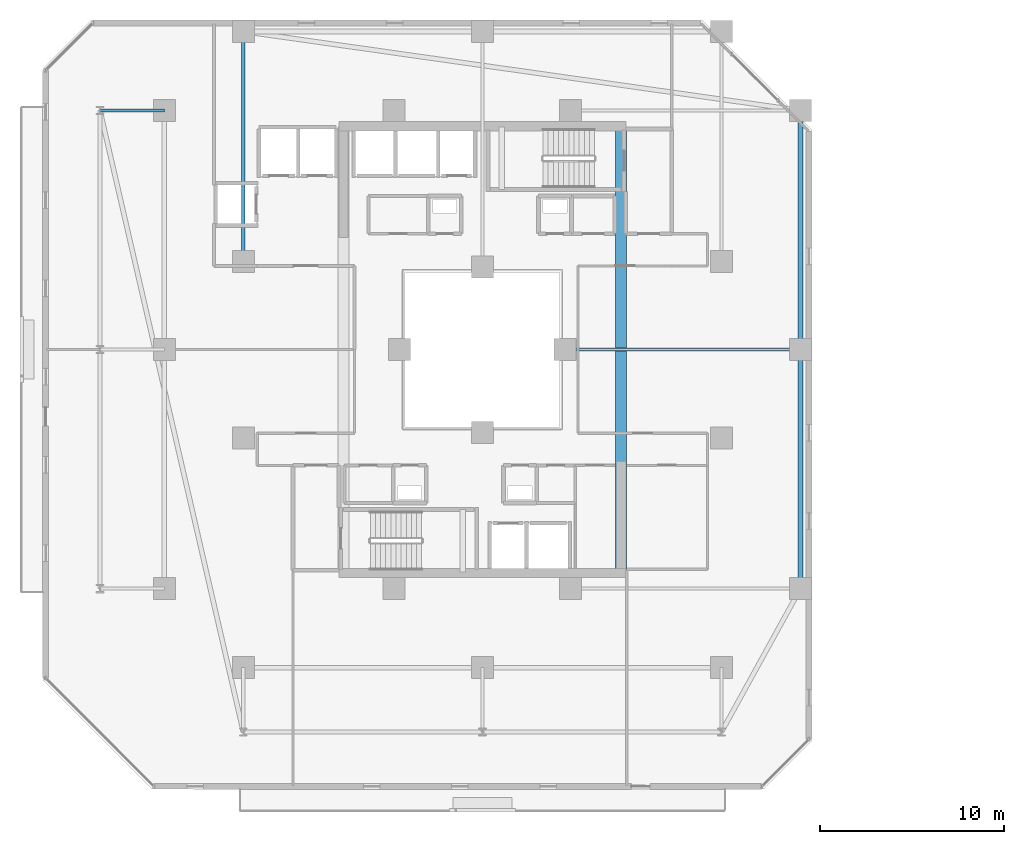
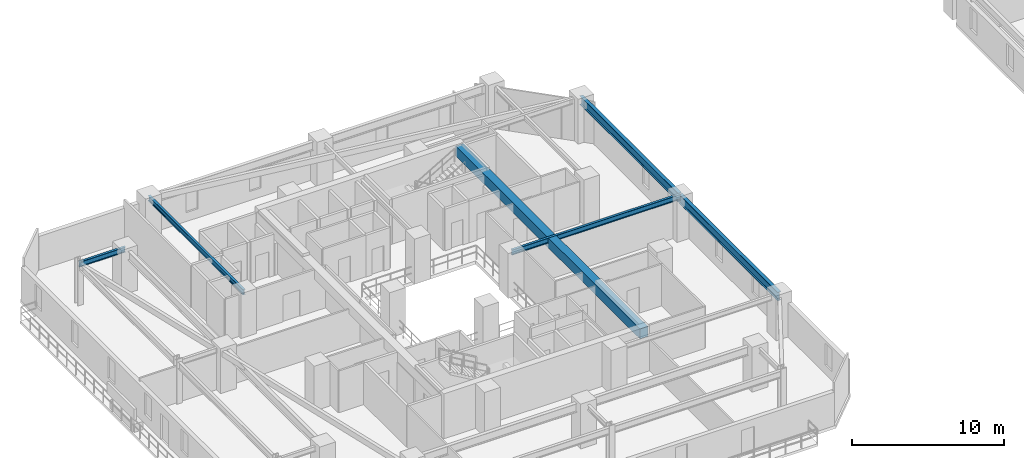
# One storey, part 6 of 32: 6 beams.
"""IFC4 building model written with IfcOpenShell, lengths in metres."""

import ifcopenshell
import ifcopenshell.guid

model = None  # the IFC model being written
_history = None  # IfcOwnerHistory: only IFC2X3 demands one
_inside = {}  # id of a spatial element -> (the spatial element, [elements in it])
_under = {}  # id of a project, library or spatial element -> (it, [spatial elements below it])
_declared = {}  # id of a project -> (the project, [libraries it declares])
_typed = {}  # id of a type object -> (the type object, [elements of that type])
_made_of = {}  # id of a material, layer set ... -> (it, [elements and type objects made of it])


def new_model(schema):
    """Start an empty IFC model of exactly this schema.

    Asked for "IFC4X3", IfcOpenShell would pick the latest addendum, in which some entities
    have other attributes; the version numbers below select the first issue.
    IFC2X3 requires an IfcOwnerHistory on every rooted entity: one is made here for all.
    """
    global model, _history
    if schema == "IFC4X3":
        model = ifcopenshell.file(schema_version=(4, 3, 0, 0))
    else:
        model = ifcopenshell.file(schema=schema)
    _inside.clear()
    _under.clear()
    _declared.clear()
    _typed.clear()
    _made_of.clear()
    _history = None
    if model.schema == "IFC2X3":
        org = make("IfcOrganization", Name="unknown")
        user = make(
            "IfcPersonAndOrganization",
            ThePerson=make("IfcPerson", FamilyName="unknown"),
            TheOrganization=org,
        )
        app = make(
            "IfcApplication",
            ApplicationDeveloper=org,
            Version="unknown",
            ApplicationFullName="unknown",
            ApplicationIdentifier="unknown",
        )
        _history = make(
            "IfcOwnerHistory",
            OwningUser=user,
            OwningApplication=app,
            ChangeAction="ADDED",
            CreationDate=0,
        )
    return model


def make(cls, **values):
    """One entity of the class cls with the attributes given. An attribute that is None is left unset."""
    return model.create_entity(
        cls, **{name: value for name, value in values.items() if value is not None}
    )


def rooted(cls, **values):
    """An entity with a GlobalId (a new one), such as an element, a storey or a relation."""
    return make(cls, GlobalId=ifcopenshell.guid.new(), OwnerHistory=_history, **values)


def si_unit(unit_type, name, prefix=None):
    """IfcSIUnit, for example si_unit("LENGTHUNIT", "METRE", prefix="MILLI")."""
    return make("IfcSIUnit", UnitType=unit_type, Prefix=prefix, Name=name)


def assignment(units):
    """IfcUnitAssignment: the units of a project."""
    return None if units is None else make("IfcUnitAssignment", Units=units)


def point(xyz):
    """IfcCartesianPoint."""
    return None if xyz is None else make("IfcCartesianPoint", Coordinates=xyz)


def direction(xyz):
    """IfcDirection."""
    return None if xyz is None else make("IfcDirection", DirectionRatios=xyz)


def frame(location, z_axis=None, x_axis=None):
    """IfcAxis2Placement3D, a coordinate frame: its origin and axes. An axis left out is left unset."""
    return make(
        "IfcAxis2Placement3D",
        Location=point(location),
        Axis=direction(z_axis),
        RefDirection=direction(x_axis),
    )


def frame_2d(location, x_axis=None):
    """IfcAxis2Placement2D, a coordinate frame in the plane: its origin and x axis."""
    return make(
        "IfcAxis2Placement2D", Location=point(location), RefDirection=direction(x_axis)
    )


def origin():
    """The frame at (0, 0, 0) with its axes left unset."""
    return frame((0.0, 0.0, 0.0))


def origin_2d():
    """The frame at (0, 0) in the plane with its x axis left unset."""
    return frame_2d((0.0, 0.0))


def place(relative_to, where):
    """IfcLocalPlacement: puts the frame where relative to a parent placement (None: the world)."""
    return make(
        "IfcLocalPlacement", PlacementRelTo=relative_to, RelativePlacement=where
    )


def context(
    kind, dimensions, precision=None, world=None, true_north=None, identifier=None
):
    """IfcGeometricRepresentationContext, for example the 3D "Model" context."""
    return make(
        "IfcGeometricRepresentationContext",
        ContextIdentifier=identifier,
        ContextType=kind,
        CoordinateSpaceDimension=dimensions,
        Precision=precision,
        WorldCoordinateSystem=world,
        TrueNorth=true_north,
    )


def subcontext(parent, identifier, kind, view, scale=None):
    """IfcGeometricRepresentationSubContext, for example "Body" below "Model"."""
    return make(
        "IfcGeometricRepresentationSubContext",
        ContextIdentifier=identifier,
        ContextType=kind,
        ParentContext=parent,
        TargetScale=scale,
        TargetView=view,
    )


def project(units=None, contexts=None):
    """IfcProject with its units and contexts."""
    return rooted(
        "IfcProject",
        Name="project",
        RepresentationContexts=contexts,
        UnitsInContext=assignment(units),
    )


def spatial(cls, under=None, at=None, **own):
    """A site, building, storey or space (cls), placed at a placement, below another one or the project."""
    s = rooted(cls, ObjectPlacement=at, **own)
    if under is not None:
        _under.setdefault(under.id(), (under, []))[1].append(s)
    return s


def profile(cls, at=None, kind="AREA", **sizes):
    """A parametric profile (cls). Its sizes go by their IFC names, for example OverallWidth=200.0."""
    return make(cls, ProfileType=kind, Position=at, **sizes)


def rectangle(**sizes):
    """IfcRectangleProfileDef."""
    return profile("IfcRectangleProfileDef", **sizes)


def i_section(**sizes):
    """IfcIShapeProfileDef."""
    return profile("IfcIShapeProfileDef", **sizes)


def extrude(swept, where, along, depth):
    """IfcExtrudedAreaSolid: the profile swept, set in the frame where, extruded along a direction by depth."""
    return make(
        "IfcExtrudedAreaSolid",
        SweptArea=swept,
        Position=where,
        ExtrudedDirection=direction(along),
        Depth=depth,
    )


def shape(context_of_items, identifier, shape_type, items):
    """IfcShapeRepresentation: the items that make up one representation, for example the "Body"."""
    return make(
        "IfcShapeRepresentation",
        ContextOfItems=context_of_items,
        RepresentationIdentifier=identifier,
        RepresentationType=shape_type,
        Items=items,
    )


def material(Name=None, Category=None):
    """IfcMaterial."""
    return make("IfcMaterial", Name=Name, Category=Category)


def material_profile(
    of_material, cross_section, Name=None, Category=None, Priority=None
):
    """IfcMaterialProfile: a cross section and its material."""
    return make(
        "IfcMaterialProfile",
        Name=Name,
        Material=of_material,
        Profile=cross_section,
        Priority=Priority,
        Category=Category,
    )


def profile_set(profiles, Name=None, composite=None):
    """IfcMaterialProfileSet."""
    return make(
        "IfcMaterialProfileSet",
        Name=Name,
        MaterialProfiles=profiles,
        CompositeProfile=composite,
    )


def made_of(thing, what):
    """Note that an element or type object is made of a material, layer set ...; save() writes the relation."""
    if what is not None:
        _made_of.setdefault(what.id(), (what, []))[1].append(thing)
    return thing


def type_object(cls, material=None, **own):
    """A type object (cls), such as IfcWallType, which elements share."""
    return made_of(rooted(cls, **own), material)


def element(
    cls,
    number,
    at=None,
    inside=None,
    cuts=None,
    type_object=None,
    material=None,
    context=None,
    identifier="Body",
    shape_type=None,
    held_by="IfcProductDefinitionShape",
    body=None,
    shapes=None,
    **own,
):
    """One element of the class cls, such as IfcWall. Its Tag is "e" and its number.

    at: its placement. inside: the storey or other place that contains it. cuts: it is an
    opening in that element (IfcRelVoidsElement). A single representation is given by context,
    identifier, shape_type and body (its items); several are given by shapes. held_by: the class
    of the entity that holds the representations. save() writes the other relations.
    """
    e = rooted(cls, Tag="e%d" % number, ObjectPlacement=at, **own)
    if body is not None:
        shapes = [shape(context, identifier, shape_type, body)]
    if shapes is not None:
        e.Representation = make(held_by, Representations=shapes)
    if inside is not None:
        _inside.setdefault(inside.id(), (inside, []))[1].append(e)
    if cuts is not None:
        rooted(
            "IfcRelVoidsElement", RelatingBuildingElement=cuts, RelatedOpeningElement=e
        )
    if type_object is not None:
        _typed.setdefault(type_object.id(), (type_object, []))[1].append(e)
    return made_of(e, material)


def aggregate(whole, parts):
    """IfcRelAggregates: a whole, such as a stair, and the parts it consists of."""
    return rooted("IfcRelAggregates", RelatingObject=whole, RelatedObjects=parts)


def save(model, path):
    """Write the relations noted so far, then the file.

    IfcRelAggregates (storeys below a building ...), IfcRelContainedInSpatialStructure (elements
    in a storey), IfcRelDefinesByType, IfcRelAssociatesMaterial and IfcRelDeclares: one each for
    every whole, place, type object, material and project.
    """
    for whole, parts in _under.values():
        aggregate(whole, parts)
    for where, things in _inside.values():
        rooted(
            "IfcRelContainedInSpatialStructure",
            RelatedElements=things,
            RelatingStructure=where,
        )
    for kind, things in _typed.values():
        rooted("IfcRelDefinesByType", RelatedObjects=things, RelatingType=kind)
    for what, things in _made_of.values():
        rooted("IfcRelAssociatesMaterial", RelatedObjects=things, RelatingMaterial=what)
    for by, libraries in _declared.values():
        rooted("IfcRelDeclares", RelatingContext=by, RelatedDefinitions=libraries)
    model.write(path)


model = new_model("IFC4")

# Units and contexts
model_context = context("Model", 3, precision=1e-05, world=origin(), true_north=direction((0.0, 1.0)))
body_context = subcontext(model_context, "Body", "Model", "MODEL_VIEW")
ifc_project = project(units=[si_unit("LENGTHUNIT", "METRE"), si_unit("AREAUNIT", "SQUARE_METRE"), si_unit("VOLUMEUNIT", "CUBIC_METRE"), si_unit("PLANEANGLEUNIT", "RADIAN"), si_unit("MASSUNIT", "GRAM", prefix="KILO")], contexts=[model_context])

# Site, building, storey
site_placement = place(None, origin())
site = spatial("IfcSite", under=ifc_project, at=site_placement, CompositionType="ELEMENT")
building_placement = place(site_placement, origin())
building = spatial("IfcBuilding", under=site, at=building_placement, Name="Thornwick Lancets Civic Towers", CompositionType="ELEMENT")
storey_placement = place(building_placement, frame((0.0, 0.0, 123.300048828125)))
storey = spatial("IfcBuildingStorey", under=building, at=storey_placement, Name="L32", CompositionType="ELEMENT", Elevation=123.300048828125)

# Beams
ifc_material_1 = material(Name="Concrete C60/75", Category="concrete")
ifc_material_profile_1 = material_profile(ifc_material_1, rectangle(XDim=0.60009765625, YDim=0.800048828125, at=origin_2d()), Name="RC 600x800")
ifc_profile_set_1 = profile_set([ifc_material_profile_1], Name="Concrete C60/75")
beam_type_1 = type_object("IfcBeamType", Name="BM_COUP_RC800", PredefinedType="BEAM", material=ifc_profile_set_1)
beam_1_placement = place(storey_placement, frame((33.050048828125, 14.89990234375, 2.9599609375), z_axis=(0.0, 1.0, 0.0), x_axis=(-1.0, 0.0, 0.0)))
element("IfcBeam", 1, at=beam_1_placement, inside=storey, type_object=beam_type_1, Name="CB-L32-A1", PredefinedType="BEAM", context=body_context, shape_type="SweptSolid", body=[
    extrude(rectangle(XDim=0.60009765625, YDim=0.800048828125, at=origin_2d()), origin(), (0.0, 0.0, 1.0), 24.2001953125),
])
ifc_material_2 = material(Name="Steel S355JR", Category="steel")
ifc_material_profile_2 = material_profile(ifc_material_2, i_section(OverallWidth=0.255859375, OverallDepth=0.69287109375, WebThickness=0.014404296875, FlangeThickness=0.023681640625, FilletRadius=0.01513671875, at=origin_2d()), Name="UKB 686x254x170")
ifc_profile_set_2 = profile_set([ifc_material_profile_2], Name="Steel S355JR")
beam_type_2 = type_object("IfcBeamType", Name="BM_GIRD_686_170", PredefinedType="BEAM", material=ifc_profile_set_2)
beam_2_placement = place(storey_placement, frame((42.800048828125, 14.0, 3.013427734375), z_axis=(0.0, 1.0, 0.0), x_axis=(-1.0, 0.0, 0.0)))
element("IfcBeam", 2, at=beam_2_placement, inside=storey, type_object=beam_type_2, Name="BM-SPINE-L32-A-3-4", PredefinedType="BEAM", context=body_context, shape_type="SweptSolid", body=[
    extrude(i_section(OverallWidth=0.255859375, OverallDepth=0.69287109375, WebThickness=0.014404296875, FlangeThickness=0.023681640625, FilletRadius=0.01513671875, at=origin_2d()), origin(), (0.0, 0.0, 1.0), 13.0),
])
beam_3_placement = place(storey_placement, frame((42.800048828125, 27.080078125, 3.013427734375), z_axis=(0.0, 1.0, 0.0), x_axis=(-1.0, 0.0, 0.0)))
element("IfcBeam", 3, at=beam_3_placement, inside=storey, type_object=beam_type_2, Name="BM-SPINE-L32-A-4-5", PredefinedType="BEAM", context=body_context, shape_type="SweptSolid", body=[
    extrude(i_section(OverallWidth=0.255859375, OverallDepth=0.69287109375, WebThickness=0.014404296875, FlangeThickness=0.023681640625, FilletRadius=0.01513671875, at=origin_2d()), origin(), (0.0, 0.0, 1.0), 12.919921875),
])
ifc_material_profile_3 = material_profile(ifc_material_2, i_section(OverallWidth=0.179443359375, OverallDepth=0.412841796875, WebThickness=0.009521484375, FlangeThickness=0.01611328125, FilletRadius=0.01025390625, at=origin_2d()), Name="UKB 406x178x74")
ifc_profile_set_3 = profile_set([ifc_material_profile_3], Name="Steel S355JR")
beam_type_3 = type_object("IfcBeamType", Name="BM_JOIST_406_74", PredefinedType="JOIST", material=ifc_profile_set_3)
beam_4_placement = place(storey_placement, frame((30.0, 27.0, 3.153564453125), z_axis=(1.0, 0.0, 0.0), x_axis=(0.0, 1.0, 0.0)))
element("IfcBeam", 4, at=beam_4_placement, inside=storey, type_object=beam_type_3, Name="BM-RADIN-L32-A05", PredefinedType="JOIST", context=body_context, shape_type="SweptSolid", body=[
    extrude(i_section(OverallWidth=0.179443359375, OverallDepth=0.412841796875, WebThickness=0.009521484375, FlangeThickness=0.01611328125, FilletRadius=0.01025390625, at=origin_2d()), origin(), (0.0, 0.0, 1.0), 12.800048828125),
])
beam_5_placement = place(storey_placement, frame((12.5, 31.800048828125, 3.153564453125), z_axis=(0.0, 1.0, 0.0), x_axis=(-1.0, 0.0, 0.0)))
element("IfcBeam", 5, at=beam_5_placement, inside=storey, type_object=beam_type_3, Name="BM-RADIN-L32-A07", PredefinedType="JOIST", context=body_context, shape_type="SweptSolid", body=[
    extrude(i_section(OverallWidth=0.179443359375, OverallDepth=0.412841796875, WebThickness=0.009521484375, FlangeThickness=0.01611328125, FilletRadius=0.01025390625, at=origin_2d()), origin(), (0.0, 0.0, 1.0), 12.5),
])
beam_6_placement = place(storey_placement, frame((8.199951171875, 40.0, 3.153564453125), z_axis=(-1.0, 0.0, 0.0), x_axis=(0.0, -1.0, 0.0)))
element("IfcBeam", 6, at=beam_6_placement, inside=storey, type_object=beam_type_3, Name="BM-RAD-L32-A12", PredefinedType="JOIST", context=body_context, shape_type="SweptSolid", body=[
    extrude(i_section(OverallWidth=0.179443359375, OverallDepth=0.412841796875, WebThickness=0.009521484375, FlangeThickness=0.01611328125, FilletRadius=0.01025390625, at=origin_2d()), origin(), (0.0, 0.0, 1.0), 3.5),
])

save(model, "model.ifc")
